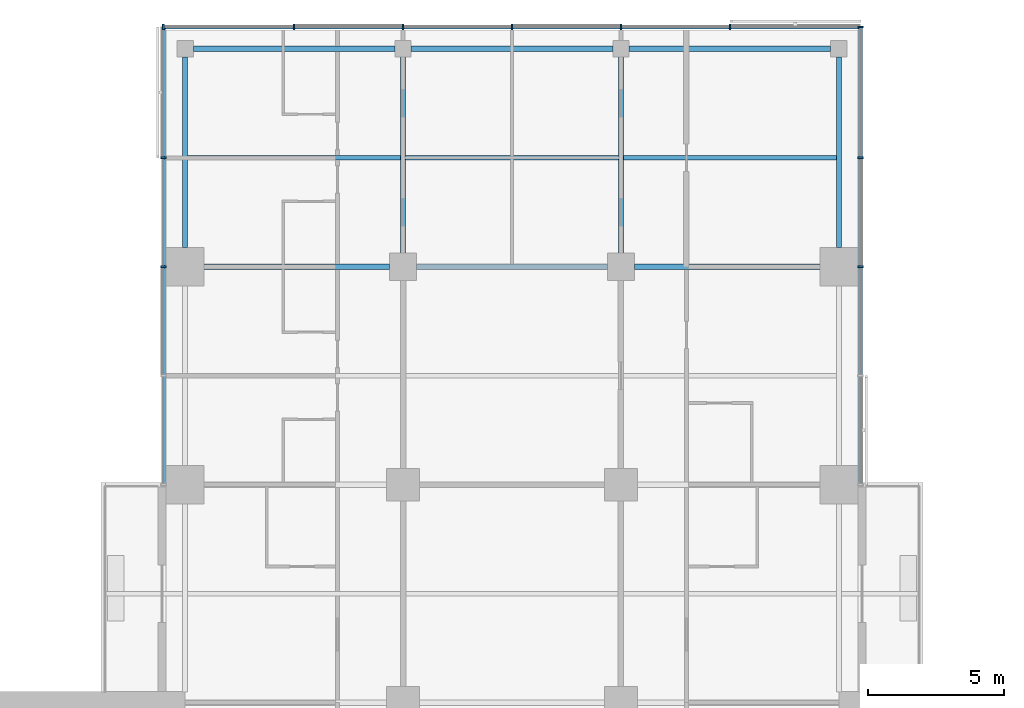
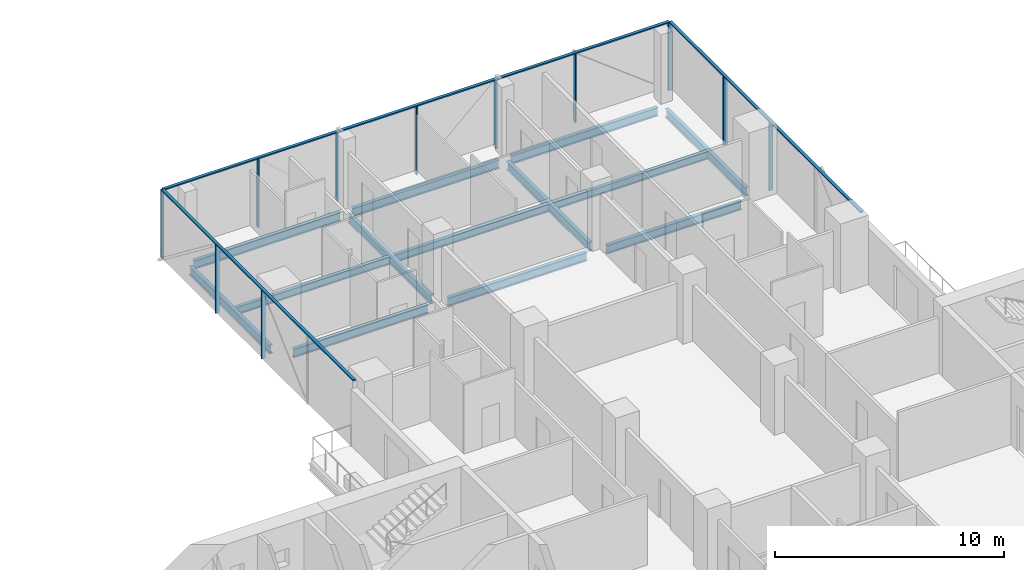
# One storey, part 12 of 27: 14 members, 13 beams, 3 elements without a shape of their own.
"""IFC4 building model written with IfcOpenShell, lengths in metres."""

from ifc_helpers import new_model, si_unit, direction, frame, origin, origin_2d, place, context, subcontext, project, spatial, rectangle, i_section, extrude, material, material_profile, profile_set, type_object, element, aggregate, save


model = new_model("IFC4")

# Units and contexts
model_context = context("Model", 3, precision=1e-05, world=origin(), true_north=direction((0.0, 1.0)))
body_context = subcontext(model_context, "Body", "Model", "MODEL_VIEW")
ifc_project = project(units=[si_unit("LENGTHUNIT", "METRE"), si_unit("AREAUNIT", "SQUARE_METRE"), si_unit("VOLUMEUNIT", "CUBIC_METRE"), si_unit("PLANEANGLEUNIT", "RADIAN"), si_unit("MASSUNIT", "GRAM", prefix="KILO")], contexts=[model_context])

# Site, building, storey
site_placement = place(None, origin())
site = spatial("IfcSite", under=ifc_project, at=site_placement, CompositionType="ELEMENT")
building_placement = place(site_placement, origin())
building = spatial("IfcBuilding", under=site, at=building_placement, Name="Crosswind Convention Tower", CompositionType="ELEMENT")
storey_placement = place(building_placement, frame((0.0, 0.0, 86.800048828125)))
storey = spatial("IfcBuildingStorey", under=building, at=storey_placement, Name="L16", CompositionType="ELEMENT", Elevation=86.800048828125)

# Beams
ifc_material_1 = material(Name="Steel S355", Category="steel")
ifc_material_profile_1 = material_profile(ifc_material_1, i_section(OverallWidth=0.1904296875, OverallDepth=0.457275390625, WebThickness=0.009033203125, FlangeThickness=0.014404296875, FilletRadius=0.01025390625, at=origin_2d()), Name="UB 457x191x75")
ifc_profile_set_1 = profile_set([ifc_material_profile_1], Name="Steel S355")
beam_type_1 = type_object("IfcBeamType", Name="Edge beam UB 457x191x75", PredefinedType="SPANDREL", material=ifc_profile_set_1)
beam_1_placement = place(storey_placement, frame((113.0, 128.699951171875, -0.508544921875), z_axis=(0.0, 1.0, 0.0), x_axis=(-1.0, 0.0, 0.0)))
element("IfcBeam", 1, at=beam_1_placement, inside=storey, type_object=beam_type_1, Name="B17 L16 edge beam 11", PredefinedType="SPANDREL", context=body_context, shape_type="SweptSolid", body=[
    extrude(i_section(OverallWidth=0.1904296875, OverallDepth=0.457275390625, WebThickness=0.009033203125, FlangeThickness=0.014404296875, FilletRadius=0.01025390625, at=origin_2d()), origin(), (0.0, 0.0, 1.0), 7.0),
])
for number, where, z_axis, x_axis, name in (
    (2, (113.300048828125, 136.0, -0.508544921875), (1.0, 0.0, 0.0), (0.0, 1.0, 0.0), "B17 L16 edge beam 13"),
    (3, (121.300048828125, 136.0, -0.508544921875), (1.0, 0.0, 0.0), (0.0, 1.0, 0.0), "B17 L16 edge beam 15"),
    (4, (129.300048828125, 136.0, -0.508544921875), (1.0, 0.0, 0.0), (0.0, 1.0, 0.0), "B17 L16 edge beam 17"),
):
    element("IfcBeam", number, at=place(storey_placement, frame(where, z_axis=z_axis, x_axis=x_axis)), inside=storey, type_object=beam_type_1, Name=name, PredefinedType="SPANDREL", context=body_context, shape_type="SweptSolid", body=[
        extrude(i_section(OverallWidth=0.1904296875, OverallDepth=0.457275390625, WebThickness=0.009033203125, FlangeThickness=0.014404296875, FilletRadius=0.01025390625, at=origin_2d()), origin(), (0.0, 0.0, 1.0), 7.39990234375),
    ])
beam_2_placement = place(storey_placement, frame((137.0, 128.699951171875, -0.508544921875), z_axis=(0.0, 1.0, 0.0), x_axis=(-1.0, 0.0, 0.0)))
element("IfcBeam", 5, at=beam_2_placement, inside=storey, type_object=beam_type_1, Name="B17 L16 edge beam 23", PredefinedType="SPANDREL", context=body_context, shape_type="SweptSolid", body=[
    extrude(i_section(OverallWidth=0.1904296875, OverallDepth=0.457275390625, WebThickness=0.009033203125, FlangeThickness=0.014404296875, FilletRadius=0.01025390625, at=origin_2d()), origin(), (0.0, 0.0, 1.0), 7.0),
])
ifc_material_profile_2 = material_profile(ifc_material_1, i_section(OverallWidth=0.19140625, OverallDepth=0.460205078125, WebThickness=0.010009765625, FlangeThickness=0.01611328125, FilletRadius=0.01025390625, at=origin_2d()), Name="UB 457x191x82")
ifc_profile_set_2 = profile_set([ifc_material_profile_2], Name="Steel S355")
beam_type_2 = type_object("IfcBeamType", Name="Girder UB 457x191x82", PredefinedType="BEAM", material=ifc_profile_set_2)
beam_3_placement = place(storey_placement, frame((113.699951171875, 128.0, -0.51025390625), z_axis=(1.0, 0.0, 0.0), x_axis=(0.0, 1.0, 0.0)))
element("IfcBeam", 6, at=beam_3_placement, inside=storey, type_object=beam_type_2, Name="B3 L16 girder 4", PredefinedType="BEAM", context=body_context, shape_type="SweptSolid", body=[
    extrude(i_section(OverallWidth=0.19140625, OverallDepth=0.460205078125, WebThickness=0.010009765625, FlangeThickness=0.01611328125, FilletRadius=0.01025390625, at=origin_2d()), origin(), (0.0, 0.0, 1.0), 6.800048828125),
])
beam_4_placement = place(storey_placement, frame((121.0, 128.5, -0.51025390625), z_axis=(0.0, 1.0, 0.0), x_axis=(-1.0, 0.0, 0.0)))
element("IfcBeam", 7, at=beam_4_placement, inside=storey, type_object=beam_type_2, Name="B3 L16 girder 13", PredefinedType="BEAM", context=body_context, shape_type="SweptSolid", body=[
    extrude(i_section(OverallWidth=0.19140625, OverallDepth=0.460205078125, WebThickness=0.010009765625, FlangeThickness=0.01611328125, FilletRadius=0.01025390625, at=origin_2d()), origin(), (0.0, 0.0, 1.0), 7.199951171875),
])
beam_5_placement = place(storey_placement, frame((121.5, 128.0, -0.51025390625), z_axis=(1.0, 0.0, 0.0), x_axis=(0.0, 1.0, 0.0)))
element("IfcBeam", 8, at=beam_5_placement, inside=storey, type_object=beam_type_2, Name="B3 L16 girder 15", PredefinedType="BEAM", context=body_context, shape_type="SweptSolid", body=[
    extrude(i_section(OverallWidth=0.19140625, OverallDepth=0.460205078125, WebThickness=0.010009765625, FlangeThickness=0.01611328125, FilletRadius=0.01025390625, at=origin_2d()), origin(), (0.0, 0.0, 1.0), 7.0),
])
beam_6_placement = place(storey_placement, frame((129.0, 128.5, -0.51025390625), z_axis=(0.0, 1.0, 0.0), x_axis=(-1.0, 0.0, 0.0)))
element("IfcBeam", 9, at=beam_6_placement, inside=storey, type_object=beam_type_2, Name="B3 L16 girder 30", PredefinedType="BEAM", context=body_context, shape_type="SweptSolid", body=[
    extrude(i_section(OverallWidth=0.19140625, OverallDepth=0.460205078125, WebThickness=0.010009765625, FlangeThickness=0.01611328125, FilletRadius=0.01025390625, at=origin_2d()), origin(), (0.0, 0.0, 1.0), 7.199951171875),
])
beam_7_placement = place(storey_placement, frame((129.5, 128.0, -0.51025390625), z_axis=(1.0, 0.0, 0.0), x_axis=(0.0, 1.0, 0.0)))
element("IfcBeam", 10, at=beam_7_placement, inside=storey, type_object=beam_type_2, Name="B3 L16 girder 32", PredefinedType="BEAM", context=body_context, shape_type="SweptSolid", body=[
    extrude(i_section(OverallWidth=0.19140625, OverallDepth=0.460205078125, WebThickness=0.010009765625, FlangeThickness=0.01611328125, FilletRadius=0.01025390625, at=origin_2d()), origin(), (0.0, 0.0, 1.0), 6.800048828125),
])

# Curtain wall, members
ifc_material_2 = material(Name="Aluminium unitised curtain wall", Category="aluminium")
curtain_wall_type = type_object("IfcCurtainWallType", Name="HOTEL UNITISED WALL 200", PredefinedType="USERDEFINED", material=ifc_material_2)
curtain_wall_1_placement = place(storey_placement, origin())
curtain_wall_1 = element("IfcCurtainWall", 11, at=curtain_wall_1_placement, inside=storey, type_object=curtain_wall_type, Name="CW2 L16 N-E 1", ObjectType="UNITISED", PredefinedType="USERDEFINED")
ifc_material_3 = material(Name="Aluminium mullion", Category="aluminium")
ifc_material_profile_3 = material_profile(ifc_material_3, rectangle(XDim=0.199951171875, YDim=0.06494140625, at=origin_2d()), Name="AL 200X65")
ifc_profile_set_3 = profile_set([ifc_material_profile_3], Name="Aluminium mullion")
member_type_1 = type_object("IfcMemberType", Name="MULLION 65X200", PredefinedType="MULLION", material=ifc_profile_set_3)
member_1_placement = place(storey_placement, frame((137.800048828125, 128.0, -0.280029296875), z_axis=(0.0, 0.0, 1.0), x_axis=(1.0, 0.0, 0.0)))
member_1 = element("IfcMember", 12, at=member_1_placement, type_object=member_type_1, Name="CW2 mullion 3", PredefinedType="MULLION", context=body_context, shape_type="SweptSolid", body=[
    extrude(rectangle(XDim=0.199951171875, YDim=0.06494140625, at=origin_2d()), origin(), (0.0, 0.0, 1.0), 3.635009765625),
])
member_2_placement = place(storey_placement, frame((137.800048828125, 132.0, -0.280029296875), z_axis=(0.0, 0.0, 1.0), x_axis=(1.0, 0.0, 0.0)))
member_2 = element("IfcMember", 13, at=member_2_placement, type_object=member_type_1, Name="CW2 mullion 4", PredefinedType="MULLION", context=body_context, shape_type="SweptSolid", body=[
    extrude(rectangle(XDim=0.199951171875, YDim=0.06494140625, at=origin_2d()), origin(), (0.0, 0.0, 1.0), 3.635009765625),
])
member_3_placement = place(storey_placement, frame((137.800048828125, 136.800048828125, -0.280029296875), z_axis=(0.0, 0.0, 1.0), x_axis=(1.0, 0.0, 0.0)))
member_3 = element("IfcMember", 14, at=member_3_placement, type_object=member_type_1, Name="CW2 mullion 5", PredefinedType="MULLION", context=body_context, shape_type="SweptSolid", body=[
    extrude(rectangle(XDim=0.199951171875, YDim=0.06494140625, at=origin_2d()), origin(), (0.0, 0.0, 1.0), 3.635009765625),
])

curtain_wall_2_placement = place(storey_placement, origin())
curtain_wall_2 = element("IfcCurtainWall", 15, at=curtain_wall_2_placement, inside=storey, type_object=curtain_wall_type, Name="CW2 L16 N-TIP 1", ObjectType="UNITISED", PredefinedType="USERDEFINED")
member_4_placement = place(storey_placement, frame((133.0, 136.800048828125, -0.280029296875), z_axis=(0.0, 0.0, 1.0), x_axis=(0.0, 1.0, 0.0)))
member_4 = element("IfcMember", 16, at=member_4_placement, type_object=member_type_1, Name="CW2 mullion 2", PredefinedType="MULLION", context=body_context, shape_type="SweptSolid", body=[
    extrude(rectangle(XDim=0.199951171875, YDim=0.06494140625, at=origin_2d()), origin(), (0.0, 0.0, 1.0), 3.635009765625),
])
member_5_placement = place(storey_placement, frame((129.0, 136.800048828125, -0.280029296875), z_axis=(0.0, 0.0, 1.0), x_axis=(0.0, 1.0, 0.0)))
member_5 = element("IfcMember", 17, at=member_5_placement, type_object=member_type_1, Name="CW2 mullion 3", PredefinedType="MULLION", context=body_context, shape_type="SweptSolid", body=[
    extrude(rectangle(XDim=0.199951171875, YDim=0.06494140625, at=origin_2d()), origin(), (0.0, 0.0, 1.0), 3.635009765625),
])
member_6_placement = place(storey_placement, frame((125.0, 136.800048828125, -0.280029296875), z_axis=(0.0, 0.0, 1.0), x_axis=(0.0, 1.0, 0.0)))
member_6 = element("IfcMember", 18, at=member_6_placement, type_object=member_type_1, Name="CW2 mullion 4", PredefinedType="MULLION", context=body_context, shape_type="SweptSolid", body=[
    extrude(rectangle(XDim=0.199951171875, YDim=0.06494140625, at=origin_2d()), origin(), (0.0, 0.0, 1.0), 3.635009765625),
])
member_7_placement = place(storey_placement, frame((121.0, 136.800048828125, -0.280029296875), z_axis=(0.0, 0.0, 1.0), x_axis=(0.0, 1.0, 0.0)))
member_7 = element("IfcMember", 19, at=member_7_placement, type_object=member_type_1, Name="CW2 mullion 5", PredefinedType="MULLION", context=body_context, shape_type="SweptSolid", body=[
    extrude(rectangle(XDim=0.199951171875, YDim=0.06494140625, at=origin_2d()), origin(), (0.0, 0.0, 1.0), 3.635009765625),
])
member_8_placement = place(storey_placement, frame((117.0, 136.800048828125, -0.280029296875), z_axis=(0.0, 0.0, 1.0), x_axis=(0.0, 1.0, 0.0)))
member_8 = element("IfcMember", 20, at=member_8_placement, type_object=member_type_1, Name="CW2 mullion 6", PredefinedType="MULLION", context=body_context, shape_type="SweptSolid", body=[
    extrude(rectangle(XDim=0.199951171875, YDim=0.06494140625, at=origin_2d()), origin(), (0.0, 0.0, 1.0), 3.635009765625),
])
member_9_placement = place(storey_placement, frame((112.199951171875, 136.800048828125, -0.280029296875), z_axis=(0.0, 0.0, 1.0), x_axis=(0.0, 1.0, 0.0)))
member_9 = element("IfcMember", 21, at=member_9_placement, type_object=member_type_1, Name="CW2 mullion 7", PredefinedType="MULLION", context=body_context, shape_type="SweptSolid", body=[
    extrude(rectangle(XDim=0.199951171875, YDim=0.06494140625, at=origin_2d()), origin(), (0.0, 0.0, 1.0), 3.635009765625),
])

curtain_wall_3_placement = place(storey_placement, origin())
curtain_wall_3 = element("IfcCurtainWall", 22, at=curtain_wall_3_placement, inside=storey, type_object=curtain_wall_type, Name="CW2 L16 N-W 1", ObjectType="UNITISED", PredefinedType="USERDEFINED")
member_10_placement = place(storey_placement, frame((112.199951171875, 132.0, -0.280029296875), z_axis=(0.0, 0.0, 1.0), x_axis=(-1.0, 0.0, 0.0)))
member_10 = element("IfcMember", 23, at=member_10_placement, type_object=member_type_1, Name="CW2 mullion 2", PredefinedType="MULLION", context=body_context, shape_type="SweptSolid", body=[
    extrude(rectangle(XDim=0.199951171875, YDim=0.06494140625, at=origin_2d()), origin(), (0.0, 0.0, 1.0), 3.635009765625),
])
member_11_placement = place(storey_placement, frame((112.199951171875, 128.0, -0.280029296875), z_axis=(0.0, 0.0, 1.0), x_axis=(-1.0, 0.0, 0.0)))
member_11 = element("IfcMember", 24, at=member_11_placement, type_object=member_type_1, Name="CW2 mullion 3", PredefinedType="MULLION", context=body_context, shape_type="SweptSolid", body=[
    extrude(rectangle(XDim=0.199951171875, YDim=0.06494140625, at=origin_2d()), origin(), (0.0, 0.0, 1.0), 3.635009765625),
])

# Beams
ifc_material_profile_4 = material_profile(ifc_material_1, i_section(OverallWidth=0.177734375, OverallDepth=0.406494140625, WebThickness=0.0078125, FlangeThickness=0.0126953125, FilletRadius=0.01025390625, at=origin_2d()), Name="UB 406x178x60")
ifc_profile_set_4 = profile_set([ifc_material_profile_4], Name="Steel S355")
beam_type_3 = type_object("IfcBeamType", Name="Secondary beam UB 406x178x60", PredefinedType="JOIST", material=ifc_profile_set_4)
beam_8_placement = place(storey_placement, frame((113.09521484375, 132.0, -0.483154296875), z_axis=(1.0, 0.0, 0.0), x_axis=(0.0, 1.0, 0.0)))
element("IfcBeam", 25, at=beam_8_placement, inside=storey, type_object=beam_type_3, Name="B10 L16 secondary beam 12", PredefinedType="JOIST", context=body_context, shape_type="SweptSolid", body=[
    extrude(i_section(OverallWidth=0.177734375, OverallDepth=0.406494140625, WebThickness=0.0078125, FlangeThickness=0.0126953125, FilletRadius=0.01025390625, at=origin_2d()), origin(), (0.0, 0.0, 1.0), 7.80908203125),
])
beam_9_placement = place(storey_placement, frame((121.095703125, 132.0, -0.483154296875), z_axis=(1.0, 0.0, 0.0), x_axis=(0.0, 1.0, 0.0)))
element("IfcBeam", 26, at=beam_9_placement, inside=storey, type_object=beam_type_3, Name="B10 L16 secondary beam 21", PredefinedType="JOIST", context=body_context, shape_type="SweptSolid", body=[
    extrude(i_section(OverallWidth=0.177734375, OverallDepth=0.406494140625, WebThickness=0.0078125, FlangeThickness=0.0126953125, FilletRadius=0.01025390625, at=origin_2d()), origin(), (0.0, 0.0, 1.0), 7.80859375),
])
beam_10_placement = place(storey_placement, frame((129.095703125, 132.0, -0.483154296875), z_axis=(1.0, 0.0, 0.0), x_axis=(0.0, 1.0, 0.0)))
element("IfcBeam", 27, at=beam_10_placement, inside=storey, type_object=beam_type_3, Name="B10 L16 secondary beam 30", PredefinedType="JOIST", context=body_context, shape_type="SweptSolid", body=[
    extrude(i_section(OverallWidth=0.177734375, OverallDepth=0.406494140625, WebThickness=0.0078125, FlangeThickness=0.0126953125, FilletRadius=0.01025390625, at=origin_2d()), origin(), (0.0, 0.0, 1.0), 7.80908203125),
])

# Member
ifc_material_4 = material(Name="Aluminium transom", Category="aluminium")
ifc_material_profile_5 = material_profile(ifc_material_4, rectangle(XDim=0.14990234375, YDim=0.06494140625, at=origin_2d()), Name="AL 150X65")
ifc_profile_set_5 = profile_set([ifc_material_profile_5], Name="Aluminium transom")
member_type_2 = type_object("IfcMemberType", Name="TRANSOM 65X150", PredefinedType="USERDEFINED", material=ifc_profile_set_5)
member_12_placement = place(storey_placement, frame((137.800048828125, 120.032470703125, 3.387451171875), z_axis=(0.0, 1.0, 0.0), x_axis=(-1.0, 0.0, 0.0)))
member_12 = element("IfcMember", 28, at=member_12_placement, type_object=member_type_2, Name="CW2 transom", ObjectType="TRANSOM", PredefinedType="USERDEFINED", context=body_context, shape_type="SweptSolid", body=[
    extrude(rectangle(XDim=0.14990234375, YDim=0.06494140625, at=origin_2d()), origin(), (0.0, 0.0, 1.0), 16.735107421875),
])

aggregate(curtain_wall_1, [member_1, member_2, member_3, member_12])

member_13_placement = place(storey_placement, frame((137.767578125, 136.800048828125, 3.387451171875), z_axis=(-1.0, 0.0, 0.0), x_axis=(0.0, -1.0, 0.0)))
member_13 = element("IfcMember", 29, at=member_13_placement, type_object=member_type_2, Name="CW2 transom", ObjectType="TRANSOM", PredefinedType="USERDEFINED", context=body_context, shape_type="SweptSolid", body=[
    extrude(rectangle(XDim=0.14990234375, YDim=0.06494140625, at=origin_2d()), origin(), (0.0, 0.0, 1.0), 25.53515625),
])

aggregate(curtain_wall_2, [member_4, member_5, member_6, member_7, member_8, member_9, member_13])

member_14_placement = place(storey_placement, frame((112.199951171875, 136.767578125, 3.387451171875), z_axis=(0.0, -1.0, 0.0), x_axis=(1.0, 0.0, 0.0)))
member_14 = element("IfcMember", 30, at=member_14_placement, type_object=member_type_2, Name="CW2 transom", ObjectType="TRANSOM", PredefinedType="USERDEFINED", context=body_context, shape_type="SweptSolid", body=[
    extrude(rectangle(XDim=0.14990234375, YDim=0.06494140625, at=origin_2d()), origin(), (0.0, 0.0, 1.0), 16.735107421875),
])

aggregate(curtain_wall_3, [member_10, member_11, member_14])

save(model, "model.ifc")
